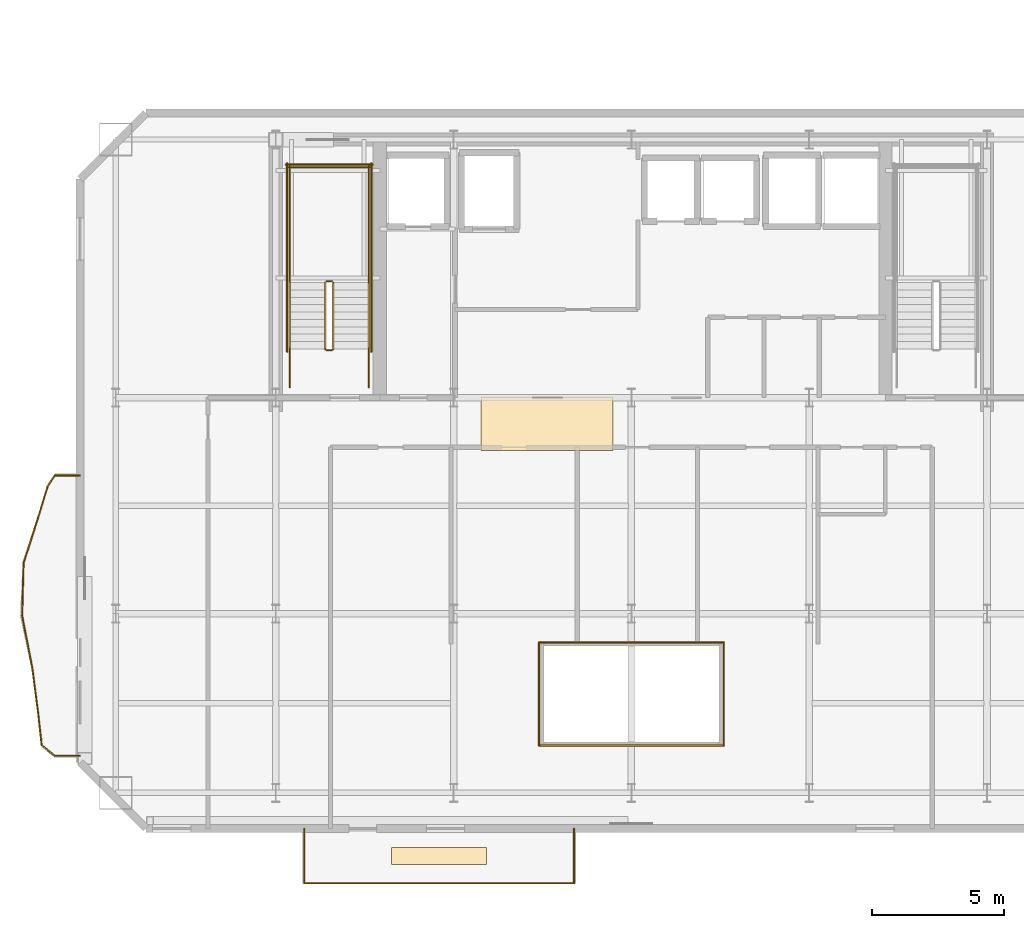
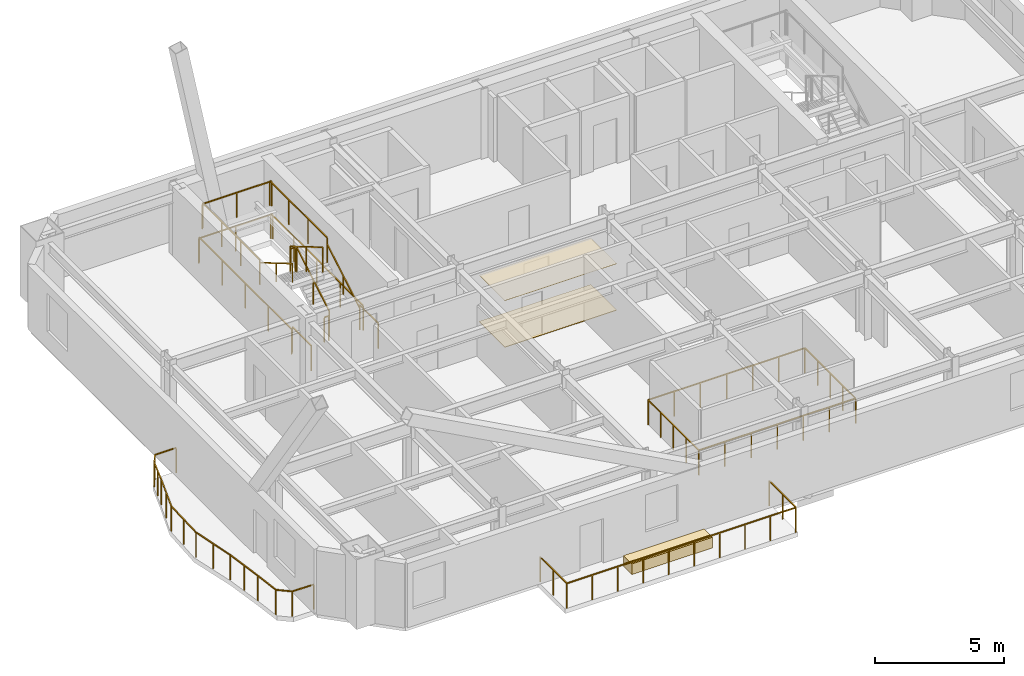
# One storey, part 10 of 13: 31 railings, 3 coverings.
"""IFC4 building model written with IfcOpenShell, lengths in metres."""

from ifc_helpers import new_model, si_unit, direction, frame, origin, origin_2d, place, context, subcontext, project, spatial, polyline, rectangle, outline, extrude, material, layer, layer_set, type_object, element, save


model = new_model("IFC4")

# Units and contexts
model_context = context("Model", 3, precision=1e-05, world=origin(), true_north=direction((0.0, 1.0)))
body_context = subcontext(model_context, "Body", "Model", "MODEL_VIEW")
ifc_project = project(units=[si_unit("LENGTHUNIT", "METRE"), si_unit("AREAUNIT", "SQUARE_METRE"), si_unit("VOLUMEUNIT", "CUBIC_METRE"), si_unit("PLANEANGLEUNIT", "RADIAN"), si_unit("MASSUNIT", "GRAM", prefix="KILO")], contexts=[model_context])

# Site, building, storey
site_placement = place(None, origin())
site = spatial("IfcSite", under=ifc_project, at=site_placement, CompositionType="ELEMENT")
building_placement = place(site_placement, origin())
building = spatial("IfcBuilding", under=site, at=building_placement, Name="Haevon Station Towers", CompositionType="ELEMENT")
storey_placement = place(building_placement, frame((0.0, 0.0, 165.89990234375)))
storey = spatial("IfcBuildingStorey", under=building, at=storey_placement, Name="L45", CompositionType="ELEMENT", Elevation=165.89990234375)

# Railings
ifc_material_1 = material(Name="Steel S355", Category="steel")
railing_type_1 = type_object("IfcRailingType", Name="BAL-ATR1200", PredefinedType="BALUSTRADE", material=ifc_material_1)
railing_1_placement = place(storey_placement, frame((33.995361328125, 24.991455078125, 0.0)))
element("IfcRailing", 1, at=railing_1_placement, inside=storey, type_object=railing_type_1, Name="L45 Atrium Void Balustrade 1", PredefinedType="BALUSTRADE", context=body_context, shape_type="SweptSolid", body=[
    extrude(rectangle(XDim=0.048095703125, YDim=0.048095703125, at=origin_2d()), frame((0.0, 0.0, 1.17578125), z_axis=(1.0, 0.0, 0.0), x_axis=(0.0, 1.0, 0.0)), (0.0, 0.0, 1.0), 7.00927734375),
    extrude(rectangle(XDim=0.0419921875, YDim=0.0419921875, at=origin_2d()), origin(), (0.0, 0.0, 1.0), 1.15185546875),
    extrude(rectangle(XDim=0.0419921875, YDim=0.0419921875, at=origin_2d()), frame((1.168212890625, 0.0, 0.0)), (0.0, 0.0, 1.0), 1.15185546875),
    extrude(rectangle(XDim=0.0419921875, YDim=0.0419921875, at=origin_2d()), frame((2.33642578125, 0.0, 0.0)), (0.0, 0.0, 1.0), 1.15185546875),
    extrude(rectangle(XDim=0.0419921875, YDim=0.0419921875, at=origin_2d()), frame((3.504638671875, 0.0, 0.0)), (0.0, 0.0, 1.0), 1.15185546875),
    extrude(rectangle(XDim=0.0419921875, YDim=0.0419921875, at=origin_2d()), frame((4.6728515625, 0.0, 0.0)), (0.0, 0.0, 1.0), 1.15185546875),
    extrude(rectangle(XDim=0.0419921875, YDim=0.0419921875, at=origin_2d()), frame((5.841064453125, 0.0, 0.0)), (0.0, 0.0, 1.0), 1.15185546875),
    extrude(rectangle(XDim=0.0419921875, YDim=0.0419921875, at=origin_2d()), frame((7.00927734375, 0.0, 0.0)), (0.0, 0.0, 1.0), 1.15185546875),
])
railing_2_placement = place(storey_placement, frame((41.004638671875, 24.991455078125, 0.0)))
element("IfcRailing", 2, at=railing_2_placement, inside=storey, type_object=railing_type_1, Name="L45 Atrium Void Balustrade 2", PredefinedType="BALUSTRADE", context=body_context, shape_type="SweptSolid", body=[
    extrude(rectangle(XDim=0.048095703125, YDim=0.048095703125, at=origin_2d()), frame((0.0, 0.0, 1.17578125), z_axis=(0.0, 1.0, 0.0), x_axis=(-1.0, 0.0, 0.0)), (0.0, 0.0, 1.0), 3.9169921875),
    extrude(rectangle(XDim=0.0419921875, YDim=0.0419921875, at=origin_2d()), origin(), (0.0, 0.0, 1.0), 1.15185546875),
    extrude(rectangle(XDim=0.0419921875, YDim=0.0419921875, at=origin_2d()), frame((0.0, 0.979248046875, 0.0)), (0.0, 0.0, 1.0), 1.15185546875),
    extrude(rectangle(XDim=0.0419921875, YDim=0.0419921875, at=origin_2d()), frame((0.0, 1.95849609375, 0.0)), (0.0, 0.0, 1.0), 1.15185546875),
    extrude(rectangle(XDim=0.0419921875, YDim=0.0419921875, at=origin_2d()), frame((0.0, 2.937744140625, 0.0)), (0.0, 0.0, 1.0), 1.15185546875),
    extrude(rectangle(XDim=0.0419921875, YDim=0.0419921875, at=origin_2d()), frame((0.0, 3.9169921875, 0.0)), (0.0, 0.0, 1.0), 1.15185546875),
])
railing_3_placement = place(storey_placement, frame((41.004638671875, 28.908447265625, 0.0)))
element("IfcRailing", 3, at=railing_3_placement, inside=storey, type_object=railing_type_1, Name="L45 Atrium Void Balustrade 3", PredefinedType="BALUSTRADE", context=body_context, shape_type="SweptSolid", body=[
    extrude(rectangle(XDim=0.048095703125, YDim=0.048095703125, at=origin_2d()), frame((0.0, 0.0, 1.17578125), z_axis=(-1.0, 0.0, 0.0), x_axis=(0.0, -1.0, 0.0)), (0.0, 0.0, 1.0), 7.00927734375),
    extrude(rectangle(XDim=0.0419921875, YDim=0.0419921875, at=origin_2d()), origin(), (0.0, 0.0, 1.0), 1.15185546875),
    extrude(rectangle(XDim=0.0419921875, YDim=0.0419921875, at=origin_2d()), frame((-1.168212890625, 0.0, 0.0)), (0.0, 0.0, 1.0), 1.15185546875),
    extrude(rectangle(XDim=0.0419921875, YDim=0.0419921875, at=origin_2d()), frame((-2.33642578125, 0.0, 0.0)), (0.0, 0.0, 1.0), 1.15185546875),
    extrude(rectangle(XDim=0.0419921875, YDim=0.0419921875, at=origin_2d()), frame((-3.504638671875, 0.0, 0.0)), (0.0, 0.0, 1.0), 1.15185546875),
    extrude(rectangle(XDim=0.0419921875, YDim=0.0419921875, at=origin_2d()), frame((-4.6728515625, 0.0, 0.0)), (0.0, 0.0, 1.0), 1.15185546875),
    extrude(rectangle(XDim=0.0419921875, YDim=0.0419921875, at=origin_2d()), frame((-5.841064453125, 0.0, 0.0)), (0.0, 0.0, 1.0), 1.15185546875),
    extrude(rectangle(XDim=0.0419921875, YDim=0.0419921875, at=origin_2d()), frame((-7.00927734375, 0.0, 0.0)), (0.0, 0.0, 1.0), 1.15185546875),
])
railing_4_placement = place(storey_placement, frame((33.995361328125, 28.908447265625, 0.0)))
element("IfcRailing", 4, at=railing_4_placement, inside=storey, type_object=railing_type_1, Name="L45 Atrium Void Balustrade 4", PredefinedType="BALUSTRADE", context=body_context, shape_type="SweptSolid", body=[
    extrude(rectangle(XDim=0.048095703125, YDim=0.048095703125, at=origin_2d()), frame((0.0, 0.0, 1.17578125), z_axis=(0.0, -1.0, 0.0), x_axis=(1.0, 0.0, 0.0)), (0.0, 0.0, 1.0), 3.9169921875),
    extrude(rectangle(XDim=0.0419921875, YDim=0.0419921875, at=origin_2d()), origin(), (0.0, 0.0, 1.0), 1.15185546875),
    extrude(rectangle(XDim=0.0419921875, YDim=0.0419921875, at=origin_2d()), frame((0.0, -0.979248046875, 0.0)), (0.0, 0.0, 1.0), 1.15185546875),
    extrude(rectangle(XDim=0.0419921875, YDim=0.0419921875, at=origin_2d()), frame((0.0, -1.95849609375, 0.0)), (0.0, 0.0, 1.0), 1.15185546875),
    extrude(rectangle(XDim=0.0419921875, YDim=0.0419921875, at=origin_2d()), frame((0.0, -2.937744140625, 0.0)), (0.0, 0.0, 1.0), 1.15185546875),
    extrude(rectangle(XDim=0.0419921875, YDim=0.0419921875, at=origin_2d()), frame((0.0, -3.9169921875, 0.0)), (0.0, 0.0, 1.0), 1.15185546875),
])

# Coverings
ifc_material_2 = material(Name="Gypsum acoustic ceiling tile", Category="concrete")
ifc_layer_1 = layer(ifc_material_2, 0.014892578125)
ifc_layer_set_1 = layer_set([ifc_layer_1], Name="Gypsum acoustic ceiling tile")
covering_type_1 = type_object("IfcCoveringType", Name="COV-CEIL15", PredefinedType="CEILING", material=ifc_layer_set_1)
covering_1_placement = place(storey_placement, frame((0.0, 0.0, 2.2001953125)))
element("IfcCovering", 5, at=covering_1_placement, inside=storey, type_object=covering_type_1, Name="L45 Acoustic Corridor Ceiling", PredefinedType="CEILING", context=body_context, shape_type="SweptSolid", body=[
    extrude(outline(polyline([(31.800048828125, 36.199951171875), (36.800048828125, 36.199951171875), (36.800048828125, 38.199951171875), (31.800048828125, 38.199951171875), (31.800048828125, 36.199951171875)])), origin(), (0.0, 0.0, 1.0), 0.014892578125),
])
ifc_material_3 = material(Name="Granite stone paving", Category="masonry")
ifc_layer_2 = layer(ifc_material_3, 0.02001953125)
ifc_layer_set_2 = layer_set([ifc_layer_2], Name="Granite stone paving")
covering_type_2 = type_object("IfcCoveringType", Name="COV-FLR20", PredefinedType="FLOORING", material=ifc_layer_set_2)
covering_2_placement = place(storey_placement, origin())
element("IfcCovering", 6, at=covering_2_placement, inside=storey, type_object=covering_type_2, Name="L45 Corridor Stone Flooring", PredefinedType="FLOORING", context=body_context, shape_type="SweptSolid", body=[
    extrude(outline(polyline([(31.800048828125, 36.199951171875), (36.800048828125, 36.199951171875), (36.800048828125, 38.199951171875), (31.800048828125, 38.199951171875), (31.800048828125, 36.199951171875)])), origin(), (0.0, 0.0, 1.0), 0.02001953125),
])

# Railings
railing_type_2 = type_object("IfcRailingType", Name="GRD-EXT1200", PredefinedType="GUARDRAIL", material=ifc_material_1)
railing_5_placement = place(storey_placement, frame((16.551513671875, 35.2470703125, 0.0)))
element("IfcRailing", 7, at=railing_5_placement, inside=storey, type_object=railing_type_2, Name="L45 Perimeter Guardrail 1", PredefinedType="GUARDRAIL", context=body_context, shape_type="SweptSolid", body=[
    extrude(rectangle(XDim=0.048095703125, YDim=0.048095703125, at=origin_2d()), frame((0.0, 0.0, 1.17578125), z_axis=(-0.999997857851, -0.002069853263, 0.0), x_axis=(0.002069853263, -0.999997857851, 0.0)), (0.0, 0.0, 1.0), 0.943603515625),
    extrude(rectangle(XDim=0.0419921875, YDim=0.0419921875, at=origin_2d()), origin(), (0.0, 0.0, 1.0), 1.15185546875),
    extrude(rectangle(XDim=0.0419921875, YDim=0.0419921875, at=origin_2d()), frame((-0.943603515625, -0.001953125, 0.0)), (0.0, 0.0, 1.0), 1.15185546875),
])
railing_6_placement = place(storey_placement, frame((15.60791015625, 35.2451171875, 0.0)))
element("IfcRailing", 8, at=railing_6_placement, inside=storey, type_object=railing_type_2, Name="L45 Perimeter Guardrail 2", PredefinedType="GUARDRAIL", context=body_context, shape_type="SweptSolid", body=[
    extrude(rectangle(XDim=0.048095703125, YDim=0.048095703125, at=origin_2d()), frame((0.0, 0.0, 1.17578125), z_axis=(-0.551380422188, -0.834253936177, 0.0), x_axis=(0.834253936177, -0.551380422188, 0.0)), (0.0, 0.0, 1.0), 0.492919921875),
    extrude(rectangle(XDim=0.0419921875, YDim=0.0419921875, at=origin_2d()), origin(), (0.0, 0.0, 1.0), 1.15185546875),
    extrude(rectangle(XDim=0.0419921875, YDim=0.0419921875, at=origin_2d()), frame((-0.271728515625, -0.4111328125, 0.0)), (0.0, 0.0, 1.0), 1.15185546875),
])
railing_7_placement = place(storey_placement, frame((15.336181640625, 34.833984375, 0.0)))
element("IfcRailing", 9, at=railing_7_placement, inside=storey, type_object=railing_type_2, Name="L45 Perimeter Guardrail 3", PredefinedType="GUARDRAIL", context=body_context, shape_type="SweptSolid", body=[
    extrude(rectangle(XDim=0.048095703125, YDim=0.048095703125, at=origin_2d()), frame((0.0, 0.0, 1.17578125), z_axis=(-0.289508622914, -0.95717540569, 0.0), x_axis=(0.95717540569, -0.289508622914, 0.0)), (0.0, 0.0, 1.0), 1.22265625),
    extrude(rectangle(XDim=0.0419921875, YDim=0.0419921875, at=origin_2d()), origin(), (0.0, 0.0, 1.0), 1.15185546875),
    extrude(rectangle(XDim=0.0419921875, YDim=0.0419921875, at=origin_2d()), frame((-0.177001953125, -0.585205078125, 0.0)), (0.0, 0.0, 1.0), 1.15185546875),
    extrude(rectangle(XDim=0.0419921875, YDim=0.0419921875, at=origin_2d()), frame((-0.35400390625, -1.17041015625, 0.0)), (0.0, 0.0, 1.0), 1.15185546875),
])
railing_8_placement = place(storey_placement, frame((14.982177734375, 33.66357421875, 0.0)))
element("IfcRailing", 10, at=railing_8_placement, inside=storey, type_object=railing_type_2, Name="L45 Perimeter Guardrail 4", PredefinedType="GUARDRAIL", context=body_context, shape_type="SweptSolid", body=[
    extrude(rectangle(XDim=0.048095703125, YDim=0.048095703125, at=origin_2d()), frame((0.0, 0.0, 1.17578125), z_axis=(-0.30505605899, -0.952334395511, 0.0), x_axis=(0.952334395511, -0.30505605899, 0.0)), (0.0, 0.0, 1.0), 1.832763671875),
    extrude(rectangle(XDim=0.0419921875, YDim=0.0419921875, at=origin_2d()), origin(), (0.0, 0.0, 1.0), 1.15185546875),
    extrude(rectangle(XDim=0.0419921875, YDim=0.0419921875, at=origin_2d()), frame((-0.279541015625, -0.87255859375, 0.0)), (0.0, 0.0, 1.0), 1.15185546875),
    extrude(rectangle(XDim=0.0419921875, YDim=0.0419921875, at=origin_2d()), frame((-0.55908203125, -1.745361328125, 0.0)), (0.0, 0.0, 1.0), 1.15185546875),
])
railing_9_placement = place(storey_placement, frame((14.423095703125, 31.918212890625, 0.0)))
element("IfcRailing", 11, at=railing_9_placement, inside=storey, type_object=railing_type_2, Name="L45 Perimeter Guardrail 5", PredefinedType="GUARDRAIL", context=body_context, shape_type="SweptSolid", body=[
    extrude(rectangle(XDim=0.048095703125, YDim=0.048095703125, at=origin_2d()), frame((0.0, 0.0, 1.17578125), z_axis=(-0.026326002365, -0.999653410738, 0.0), x_axis=(0.999653410738, -0.026326002365, 0.0)), (0.0, 0.0, 1.0), 1.993896484375),
    extrude(rectangle(XDim=0.0419921875, YDim=0.0419921875, at=origin_2d()), origin(), (0.0, 0.0, 1.0), 1.15185546875),
    extrude(rectangle(XDim=0.0419921875, YDim=0.0419921875, at=origin_2d()), frame((-0.0263671875, -0.99658203125, 0.0)), (0.0, 0.0, 1.0), 1.15185546875),
    extrude(rectangle(XDim=0.0419921875, YDim=0.0419921875, at=origin_2d()), frame((-0.052490234375, -1.9931640625, 0.0)), (0.0, 0.0, 1.0), 1.15185546875),
])
railing_10_placement = place(storey_placement, frame((14.37060546875, 29.925048828125, 0.0)))
element("IfcRailing", 12, at=railing_10_placement, inside=storey, type_object=railing_type_2, Name="L45 Perimeter Guardrail 6", PredefinedType="GUARDRAIL", context=body_context, shape_type="SweptSolid", body=[
    extrude(rectangle(XDim=0.048095703125, YDim=0.048095703125, at=origin_2d()), frame((0.0, 0.0, 1.17578125), z_axis=(0.189669695752, -0.981847954886, 0.0), x_axis=(0.981847954886, 0.189669695752, 0.0)), (0.0, 0.0, 1.0), 2.026123046875),
    extrude(rectangle(XDim=0.0419921875, YDim=0.0419921875, at=origin_2d()), origin(), (0.0, 0.0, 1.0), 1.15185546875),
    extrude(rectangle(XDim=0.0419921875, YDim=0.0419921875, at=origin_2d()), frame((0.192138671875, -0.99462890625, 0.0)), (0.0, 0.0, 1.0), 1.15185546875),
    extrude(rectangle(XDim=0.0419921875, YDim=0.0419921875, at=origin_2d()), frame((0.38427734375, -1.9892578125, 0.0)), (0.0, 0.0, 1.0), 1.15185546875),
])
railing_11_placement = place(storey_placement, frame((14.7548828125, 27.935791015625, 0.0)))
element("IfcRailing", 13, at=railing_11_placement, inside=storey, type_object=railing_type_2, Name="L45 Perimeter Guardrail 7", PredefinedType="GUARDRAIL", context=body_context, shape_type="SweptSolid", body=[
    extrude(rectangle(XDim=0.048095703125, YDim=0.048095703125, at=origin_2d()), frame((0.0, 0.0, 1.17578125), z_axis=(0.128836300535, -0.991665875013, 0.0), x_axis=(0.991665875013, 0.128836300535, 0.0)), (0.0, 0.0, 1.0), 1.76416015625),
    extrude(rectangle(XDim=0.0419921875, YDim=0.0419921875, at=origin_2d()), origin(), (0.0, 0.0, 1.0), 1.15185546875),
    extrude(rectangle(XDim=0.0419921875, YDim=0.0419921875, at=origin_2d()), frame((0.11376953125, -0.874755859375, 0.0)), (0.0, 0.0, 1.0), 1.15185546875),
    extrude(rectangle(XDim=0.0419921875, YDim=0.0419921875, at=origin_2d()), frame((0.227294921875, -1.74951171875, 0.0)), (0.0, 0.0, 1.0), 1.15185546875),
])
railing_12_placement = place(storey_placement, frame((14.982177734375, 26.186279296875, 0.0)))
element("IfcRailing", 14, at=railing_12_placement, inside=storey, type_object=railing_type_2, Name="L45 Perimeter Guardrail 8", PredefinedType="GUARDRAIL", context=body_context, shape_type="SweptSolid", body=[
    extrude(rectangle(XDim=0.048095703125, YDim=0.048095703125, at=origin_2d()), frame((0.0, 0.0, 1.17578125), z_axis=(0.10826862392, -0.994121675186, 0.0), x_axis=(0.994121675186, 0.10826862392, 0.0)), (0.0, 0.0, 1.0), 1.177001953125),
    extrude(rectangle(XDim=0.0419921875, YDim=0.0419921875, at=origin_2d()), origin(), (0.0, 0.0, 1.0), 1.15185546875),
    extrude(rectangle(XDim=0.0419921875, YDim=0.0419921875, at=origin_2d()), frame((0.12744140625, -1.170166015625, 0.0)), (0.0, 0.0, 1.0), 1.15185546875),
])
railing_13_placement = place(storey_placement, frame((15.109619140625, 25.01611328125, 0.0)))
element("IfcRailing", 15, at=railing_13_placement, inside=storey, type_object=railing_type_2, Name="L45 Perimeter Guardrail 9", PredefinedType="GUARDRAIL", context=body_context, shape_type="SweptSolid", body=[
    extrude(rectangle(XDim=0.048095703125, YDim=0.048095703125, at=origin_2d()), frame((0.0, 0.0, 1.17578125), z_axis=(0.771155301893, -0.636647076771, 0.0), x_axis=(0.636647076771, 0.771155301893, 0.0)), (0.0, 0.0, 1.0), 0.646240234375),
    extrude(rectangle(XDim=0.0419921875, YDim=0.0419921875, at=origin_2d()), origin(), (0.0, 0.0, 1.0), 1.15185546875),
    extrude(rectangle(XDim=0.0419921875, YDim=0.0419921875, at=origin_2d()), frame((0.498291015625, -0.411376953125, 0.0)), (0.0, 0.0, 1.0), 1.15185546875),
])
railing_14_placement = place(storey_placement, frame((15.60791015625, 24.604736328125, 0.0)))
element("IfcRailing", 16, at=railing_14_placement, inside=storey, type_object=railing_type_2, Name="L45 Perimeter Guardrail 10", PredefinedType="GUARDRAIL", context=body_context, shape_type="SweptSolid", body=[
    extrude(rectangle(XDim=0.048095703125, YDim=0.048095703125, at=origin_2d()), frame((0.0, 0.0, 1.17578125), z_axis=(0.999997857851, -0.002069853263, 0.0), x_axis=(0.002069853263, 0.999997857851, 0.0)), (0.0, 0.0, 1.0), 0.943603515625),
    extrude(rectangle(XDim=0.0419921875, YDim=0.0419921875, at=origin_2d()), origin(), (0.0, 0.0, 1.0), 1.15185546875),
    extrude(rectangle(XDim=0.0419921875, YDim=0.0419921875, at=origin_2d()), frame((0.943603515625, -0.001953125, 0.0)), (0.0, 0.0, 1.0), 1.15185546875),
])
railing_15_placement = place(storey_placement, frame((25.078369140625, 19.765869140625, 0.0)))
element("IfcRailing", 17, at=railing_15_placement, inside=storey, type_object=railing_type_2, Name="L45 Perimeter Guardrail 1", PredefinedType="GUARDRAIL", context=body_context, shape_type="SweptSolid", body=[
    extrude(rectangle(XDim=0.048095703125, YDim=0.048095703125, at=origin_2d()), frame((0.0, 0.0, 1.17578125), z_axis=(1.0, 0.0, 0.0), x_axis=(0.0, 1.0, 0.0)), (0.0, 0.0, 1.0), 10.2431640625),
    extrude(rectangle(XDim=0.0419921875, YDim=0.0419921875, at=origin_2d()), origin(), (0.0, 0.0, 1.0), 1.15185546875),
    extrude(rectangle(XDim=0.0419921875, YDim=0.0419921875, at=origin_2d()), frame((1.13818359375, 0.0, 0.0)), (0.0, 0.0, 1.0), 1.15185546875),
    extrude(rectangle(XDim=0.0419921875, YDim=0.0419921875, at=origin_2d()), frame((2.2763671875, 0.0, 0.0)), (0.0, 0.0, 1.0), 1.15185546875),
    extrude(rectangle(XDim=0.0419921875, YDim=0.0419921875, at=origin_2d()), frame((3.414306640625, 0.0, 0.0)), (0.0, 0.0, 1.0), 1.15185546875),
    extrude(rectangle(XDim=0.0419921875, YDim=0.0419921875, at=origin_2d()), frame((4.552490234375, 0.0, 0.0)), (0.0, 0.0, 1.0), 1.15185546875),
    extrude(rectangle(XDim=0.0419921875, YDim=0.0419921875, at=origin_2d()), frame((5.690673828125, 0.0, 0.0)), (0.0, 0.0, 1.0), 1.15185546875),
    extrude(rectangle(XDim=0.0419921875, YDim=0.0419921875, at=origin_2d()), frame((6.828857421875, 0.0, 0.0)), (0.0, 0.0, 1.0), 1.15185546875),
    extrude(rectangle(XDim=0.0419921875, YDim=0.0419921875, at=origin_2d()), frame((7.966796875, 0.0, 0.0)), (0.0, 0.0, 1.0), 1.15185546875),
    extrude(rectangle(XDim=0.0419921875, YDim=0.0419921875, at=origin_2d()), frame((9.10498046875, 0.0, 0.0)), (0.0, 0.0, 1.0), 1.15185546875),
    extrude(rectangle(XDim=0.0419921875, YDim=0.0419921875, at=origin_2d()), frame((10.2431640625, 0.0, 0.0)), (0.0, 0.0, 1.0), 1.15185546875),
])
railing_16_placement = place(storey_placement, frame((35.321533203125, 19.765869140625, 0.0)))
element("IfcRailing", 18, at=railing_16_placement, inside=storey, type_object=railing_type_2, Name="L45 Perimeter Guardrail 2", PredefinedType="GUARDRAIL", context=body_context, shape_type="SweptSolid", body=[
    extrude(rectangle(XDim=0.048095703125, YDim=0.048095703125, at=origin_2d()), frame((0.0, 0.0, 1.17578125), z_axis=(0.0, 1.0, 0.0), x_axis=(-1.0, 0.0, 0.0)), (0.0, 0.0, 1.0), 2.063232421875),
    extrude(rectangle(XDim=0.0419921875, YDim=0.0419921875, at=origin_2d()), origin(), (0.0, 0.0, 1.0), 1.15185546875),
    extrude(rectangle(XDim=0.0419921875, YDim=0.0419921875, at=origin_2d()), frame((0.0, 1.03173828125, 0.0)), (0.0, 0.0, 1.0), 1.15185546875),
    extrude(rectangle(XDim=0.0419921875, YDim=0.0419921875, at=origin_2d()), frame((0.0, 2.063232421875, 0.0)), (0.0, 0.0, 1.0), 1.15185546875),
])
railing_17_placement = place(storey_placement, frame((25.078369140625, 21.8291015625, 0.0)))
element("IfcRailing", 19, at=railing_17_placement, inside=storey, type_object=railing_type_2, Name="L45 Perimeter Guardrail 3", PredefinedType="GUARDRAIL", context=body_context, shape_type="SweptSolid", body=[
    extrude(rectangle(XDim=0.048095703125, YDim=0.048095703125, at=origin_2d()), frame((0.0, 0.0, 1.17578125), z_axis=(0.0, -1.0, 0.0), x_axis=(1.0, 0.0, 0.0)), (0.0, 0.0, 1.0), 2.063232421875),
    extrude(rectangle(XDim=0.0419921875, YDim=0.0419921875, at=origin_2d()), origin(), (0.0, 0.0, 1.0), 1.15185546875),
    extrude(rectangle(XDim=0.0419921875, YDim=0.0419921875, at=origin_2d()), frame((0.0, -1.03173828125, 0.0)), (0.0, 0.0, 1.0), 1.15185546875),
    extrude(rectangle(XDim=0.0419921875, YDim=0.0419921875, at=origin_2d()), frame((0.0, -2.063232421875, 0.0)), (0.0, 0.0, 1.0), 1.15185546875),
])
railing_type_3 = type_object("IfcRailingType", Name="GRD-STR1200", PredefinedType="GUARDRAIL", material=ifc_material_1)
railing_18_placement = place(storey_placement, frame((26.179931640625, 40.050048828125, 0.1650390625)))
element("IfcRailing", 20, at=railing_18_placement, inside=storey, type_object=railing_type_3, Name="L45 ST1 Stair Guard 1", PredefinedType="GUARDRAIL", context=body_context, shape_type="SweptSolid", body=[
    extrude(rectangle(XDim=0.048095703125, YDim=0.048095703125, at=origin_2d()), frame((0.0, 0.0, 1.17578125), z_axis=(0.0, 0.86152411907, 0.507716645641), x_axis=(-1.0, 0.0, 0.0)), (0.0, 0.0, 1.0), 2.925048828125),
    extrude(rectangle(XDim=0.0419921875, YDim=0.0419921875, at=origin_2d()), origin(), (0.0, 0.0, 1.0), 1.15185546875),
    extrude(rectangle(XDim=0.0419921875, YDim=0.0419921875, at=origin_2d()), frame((0.0, 1.260009765625, 0.74267578125)), (0.0, 0.0, 1.0), 1.15185546875),
    extrude(rectangle(XDim=0.0419921875, YDim=0.0419921875, at=origin_2d()), frame((0.0, 2.52001953125, 1.485107421875)), (0.0, 0.0, 1.0), 1.15185546875),
])
railing_19_placement = place(storey_placement, frame((26.1298828125, 42.6201171875, 1.650146484375)))
element("IfcRailing", 21, at=railing_19_placement, inside=storey, type_object=railing_type_3, Name="L45 ST1 Stair Guard 2", PredefinedType="GUARDRAIL", context=body_context, shape_type="SweptSolid", body=[
    extrude(rectangle(XDim=0.048095703125, YDim=0.048095703125, at=origin_2d()), frame((0.0, 0.0, 1.17578125), z_axis=(-1.0, 0.0, 0.0), x_axis=(0.0, -1.0, 0.0)), (0.0, 0.0, 1.0), 0.199951171875),
    extrude(rectangle(XDim=0.0419921875, YDim=0.0419921875, at=origin_2d()), origin(), (0.0, 0.0, 1.0), 1.15185546875),
    extrude(rectangle(XDim=0.0419921875, YDim=0.0419921875, at=origin_2d()), frame((-0.199951171875, 0.0, 0.0)), (0.0, 0.0, 1.0), 1.15185546875),
])
for number, where, name in (
    (22, (27.530029296875, 42.570068359375, 1.650146484375), "L45 ST1 Stair Guard 3"),
    (23, (24.530029296875, 42.570068359375, 1.650146484375), "L45 ST1 Stair Guard 4"),
):
    element("IfcRailing", number, at=place(storey_placement, frame(where)), inside=storey, type_object=railing_type_3, Name=name, PredefinedType="GUARDRAIL", context=body_context, shape_type="SweptSolid", body=[
        extrude(rectangle(XDim=0.048095703125, YDim=0.048095703125, at=origin_2d()), frame((0.0, 0.0, 1.17578125), z_axis=(0.0, 1.0, 0.0), x_axis=(-1.0, 0.0, 0.0)), (0.0, 0.0, 1.0), 4.429931640625),
        extrude(rectangle(XDim=0.0419921875, YDim=0.0419921875, at=origin_2d()), origin(), (0.0, 0.0, 1.0), 1.15185546875),
        extrude(rectangle(XDim=0.0419921875, YDim=0.0419921875, at=origin_2d()), frame((0.0, 1.4765625, 0.0)), (0.0, 0.0, 1.0), 1.15185546875),
        extrude(rectangle(XDim=0.0419921875, YDim=0.0419921875, at=origin_2d()), frame((0.0, 2.953369140625, 0.0)), (0.0, 0.0, 1.0), 1.15185546875),
        extrude(rectangle(XDim=0.0419921875, YDim=0.0419921875, at=origin_2d()), frame((0.0, 4.429931640625, 0.0)), (0.0, 0.0, 1.0), 1.15185546875),
    ])
railing_20_placement = place(storey_placement, frame((27.580078125, 46.949951171875, 1.650146484375)))
element("IfcRailing", 24, at=railing_20_placement, inside=storey, type_object=railing_type_3, Name="L45 ST1 Stair Guard 5", PredefinedType="GUARDRAIL", context=body_context, shape_type="SweptSolid", body=[
    extrude(rectangle(XDim=0.048095703125, YDim=0.048095703125, at=origin_2d()), frame((0.0, 0.0, 1.17578125), z_axis=(-1.0, 0.0, 0.0), x_axis=(0.0, -1.0, 0.0)), (0.0, 0.0, 1.0), 3.10009765625),
    extrude(rectangle(XDim=0.0419921875, YDim=0.0419921875, at=origin_2d()), origin(), (0.0, 0.0, 1.0), 1.15185546875),
    extrude(rectangle(XDim=0.0419921875, YDim=0.0419921875, at=origin_2d()), frame((-1.550048828125, 0.0, 0.0)), (0.0, 0.0, 1.0), 1.15185546875),
    extrude(rectangle(XDim=0.0419921875, YDim=0.0419921875, at=origin_2d()), frame((-3.10009765625, 0.0, 0.0)), (0.0, 0.0, 1.0), 1.15185546875),
])
railing_21_placement = place(storey_placement, frame((25.8798828125, 42.570068359375, 1.815185546875)))
element("IfcRailing", 25, at=railing_21_placement, inside=storey, type_object=railing_type_3, Name="L45 ST1 Stair Guard 6", PredefinedType="GUARDRAIL", context=body_context, shape_type="SweptSolid", body=[
    extrude(rectangle(XDim=0.048095703125, YDim=0.048095703125, at=origin_2d()), frame((0.0, 0.0, 1.17578125), z_axis=(0.0, -0.861560626758, 0.507654692109), x_axis=(1.0, 0.0, 0.0)), (0.0, 0.0, 1.0), 2.925048828125),
    extrude(rectangle(XDim=0.0419921875, YDim=0.0419921875, at=origin_2d()), origin(), (0.0, 0.0, 1.0), 1.15185546875),
    extrude(rectangle(XDim=0.0419921875, YDim=0.0419921875, at=origin_2d()), frame((0.0, -1.260009765625, 0.742431640625)), (0.0, 0.0, 1.0), 1.15185546875),
    extrude(rectangle(XDim=0.0419921875, YDim=0.0419921875, at=origin_2d()), frame((0.0, -2.52001953125, 1.48486328125)), (0.0, 0.0, 1.0), 1.15185546875),
])
railing_22_placement = place(storey_placement, frame((26.1298828125, 40.0, 0.0)))
element("IfcRailing", 26, at=railing_22_placement, inside=storey, type_object=railing_type_3, Name="L45 ST1 Stair Guard 7", PredefinedType="GUARDRAIL", context=body_context, shape_type="SweptSolid", body=[
    extrude(rectangle(XDim=0.048095703125, YDim=0.048095703125, at=origin_2d()), frame((0.0, 0.0, 1.17578125), z_axis=(-1.0, 0.0, 0.0), x_axis=(0.0, -1.0, 0.0)), (0.0, 0.0, 1.0), 0.199951171875),
    extrude(rectangle(XDim=0.0419921875, YDim=0.0419921875, at=origin_2d()), origin(), (0.0, 0.0, 1.0), 1.15185546875),
    extrude(rectangle(XDim=0.0419921875, YDim=0.0419921875, at=origin_2d()), frame((-0.199951171875, 0.0, 0.0)), (0.0, 0.0, 1.0), 1.15185546875),
])
for number, where, name in (
    (27, (27.530029296875, 38.60009765625, 0.0), "L45 ST1 Stair Guard 8"),
    (28, (24.530029296875, 38.60009765625, 0.0), "L45 ST1 Stair Guard 9"),
):
    element("IfcRailing", number, at=place(storey_placement, frame(where)), inside=storey, type_object=railing_type_3, Name=name, PredefinedType="GUARDRAIL", context=body_context, shape_type="SweptSolid", body=[
        extrude(rectangle(XDim=0.048095703125, YDim=0.048095703125, at=origin_2d()), frame((0.0, 0.0, 1.17578125), z_axis=(0.0, 1.0, 0.0), x_axis=(-1.0, 0.0, 0.0)), (0.0, 0.0, 1.0), 1.449951171875),
        extrude(rectangle(XDim=0.0419921875, YDim=0.0419921875, at=origin_2d()), origin(), (0.0, 0.0, 1.0), 1.15185546875),
        extrude(rectangle(XDim=0.0419921875, YDim=0.0419921875, at=origin_2d()), frame((0.0, 1.449951171875, 0.0)), (0.0, 0.0, 1.0), 1.15185546875),
    ])
for number, where, name in (
    (29, (27.6298828125, 39.949951171875, 0.0), "L45 ST1 Stair Guard 10"),
    (30, (24.429931640625, 39.949951171875, 0.0), "L45 ST1 Stair Guard 11"),
):
    element("IfcRailing", number, at=place(storey_placement, frame(where)), inside=storey, type_object=railing_type_3, Name=name, PredefinedType="GUARDRAIL", context=body_context, shape_type="SweptSolid", body=[
        extrude(rectangle(XDim=0.048095703125, YDim=0.048095703125, at=origin_2d()), frame((0.0, 0.0, 1.17578125), z_axis=(0.0, 1.0, 0.0), x_axis=(-1.0, 0.0, 0.0)), (0.0, 0.0, 1.0), 7.150146484375),
        extrude(rectangle(XDim=0.0419921875, YDim=0.0419921875, at=origin_2d()), origin(), (0.0, 0.0, 1.0), 1.15185546875),
        extrude(rectangle(XDim=0.0419921875, YDim=0.0419921875, at=origin_2d()), frame((0.0, 1.78759765625, 0.0)), (0.0, 0.0, 1.0), 1.15185546875),
        extrude(rectangle(XDim=0.0419921875, YDim=0.0419921875, at=origin_2d()), frame((0.0, 3.5751953125, 0.0)), (0.0, 0.0, 1.0), 1.15185546875),
        extrude(rectangle(XDim=0.0419921875, YDim=0.0419921875, at=origin_2d()), frame((0.0, 5.362548828125, 0.0)), (0.0, 0.0, 1.0), 1.15185546875),
        extrude(rectangle(XDim=0.0419921875, YDim=0.0419921875, at=origin_2d()), frame((0.0, 7.150146484375, 0.0)), (0.0, 0.0, 1.0), 1.15185546875),
    ])
railing_23_placement = place(storey_placement, frame((27.679931640625, 47.050048828125, 0.0)))
element("IfcRailing", 31, at=railing_23_placement, inside=storey, type_object=railing_type_3, Name="L45 ST1 Stair Guard 12", PredefinedType="GUARDRAIL", context=body_context, shape_type="SweptSolid", body=[
    extrude(rectangle(XDim=0.048095703125, YDim=0.048095703125, at=origin_2d()), frame((0.0, 0.0, 1.17578125), z_axis=(-1.0, 0.0, 0.0), x_axis=(0.0, -1.0, 0.0)), (0.0, 0.0, 1.0), 3.300048828125),
    extrude(rectangle(XDim=0.0419921875, YDim=0.0419921875, at=origin_2d()), origin(), (0.0, 0.0, 1.0), 1.15185546875),
    extrude(rectangle(XDim=0.0419921875, YDim=0.0419921875, at=origin_2d()), frame((-1.64990234375, 0.0, 0.0)), (0.0, 0.0, 1.0), 1.15185546875),
    extrude(rectangle(XDim=0.0419921875, YDim=0.0419921875, at=origin_2d()), frame((-3.300048828125, 0.0, 0.0)), (0.0, 0.0, 1.0), 1.15185546875),
])
railing_type_4 = type_object("IfcRailingType", Name="HND-STR900", PredefinedType="HANDRAIL", material=ifc_material_1)
railing_24_placement = place(storey_placement, frame((27.530029296875, 40.050048828125, 0.1650390625)))
element("IfcRailing", 32, at=railing_24_placement, inside=storey, type_object=railing_type_4, Name="L45 ST1 Stair Handrail 1", PredefinedType="HANDRAIL", context=body_context, shape_type="SweptSolid", body=[
    extrude(rectangle(XDim=0.048095703125, YDim=0.048095703125, at=origin_2d()), frame((0.0, 0.0, 0.8759765625), z_axis=(0.0, 0.86152411907, 0.507716645641), x_axis=(-1.0, 0.0, 0.0)), (0.0, 0.0, 1.0), 2.925048828125),
    extrude(rectangle(XDim=0.0419921875, YDim=0.0419921875, at=origin_2d()), origin(), (0.0, 0.0, 1.0), 0.851806640625),
    extrude(rectangle(XDim=0.0419921875, YDim=0.0419921875, at=origin_2d()), frame((0.0, 1.260009765625, 0.74267578125)), (0.0, 0.0, 1.0), 0.851806640625),
    extrude(rectangle(XDim=0.0419921875, YDim=0.0419921875, at=origin_2d()), frame((0.0, 2.52001953125, 1.485107421875)), (0.0, 0.0, 1.0), 0.851806640625),
])
railing_25_placement = place(storey_placement, frame((24.530029296875, 42.570068359375, 1.815185546875)))
element("IfcRailing", 33, at=railing_25_placement, inside=storey, type_object=railing_type_4, Name="L45 ST1 Stair Handrail 2", PredefinedType="HANDRAIL", context=body_context, shape_type="SweptSolid", body=[
    extrude(rectangle(XDim=0.048095703125, YDim=0.048095703125, at=origin_2d()), frame((0.0, 0.0, 0.8759765625), z_axis=(0.0, -0.861560626758, 0.507654692109), x_axis=(1.0, 0.0, 0.0)), (0.0, 0.0, 1.0), 2.925048828125),
    extrude(rectangle(XDim=0.0419921875, YDim=0.0419921875, at=origin_2d()), origin(), (0.0, 0.0, 1.0), 0.851806640625),
    extrude(rectangle(XDim=0.0419921875, YDim=0.0419921875, at=origin_2d()), frame((0.0, -1.260009765625, 0.742431640625)), (0.0, 0.0, 1.0), 0.851806640625),
    extrude(rectangle(XDim=0.0419921875, YDim=0.0419921875, at=origin_2d()), frame((0.0, -2.52001953125, 1.48486328125)), (0.0, 0.0, 1.0), 0.851806640625),
])

# Covering
ifc_material_4 = material(Name="Architectural planter GRC", Category="concrete")
ifc_layer_3 = layer(ifc_material_4, 0.550048828125)
ifc_layer_set_3 = layer_set([ifc_layer_3], Name="Architectural planter GRC")
covering_type_3 = type_object("IfcCoveringType", Name="PLN-GRC550", PredefinedType="MOLDING", material=ifc_layer_set_3)
covering_3_placement = place(storey_placement, frame((30.199951171875, 20.797607421875, 0.0), z_axis=(0.0, 0.0, 1.0), x_axis=(1.0, 0.0, 0.0)))
element("IfcCovering", 34, at=covering_3_placement, inside=storey, type_object=covering_type_3, Name="Tower 1 L45 Facade Trough PLANTER", PredefinedType="MOLDING", context=body_context, shape_type="SweptSolid", body=[
    extrude(rectangle(XDim=3.60009765625, YDim=0.64990234375, at=origin_2d()), origin(), (0.0, 0.0, 1.0), 0.5),
])

save(model, "model.ifc")
